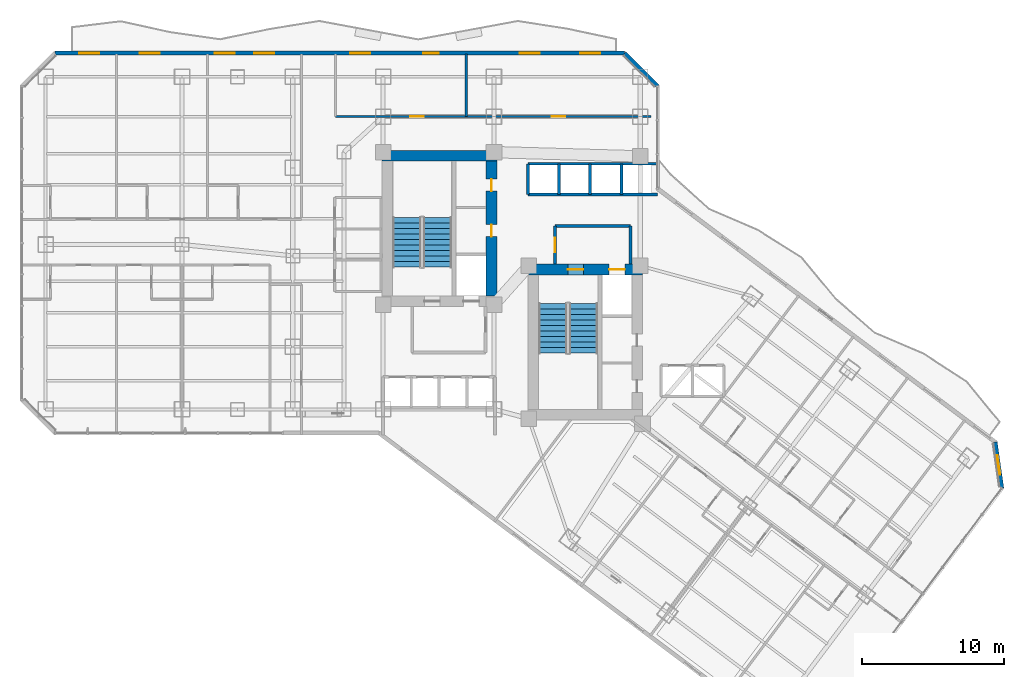
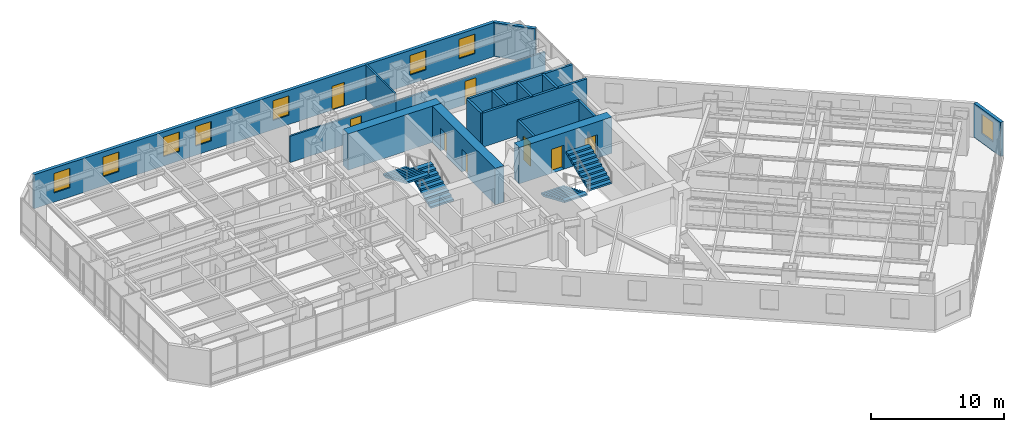
# One storey, part 26 of 32: 18 walls, 8 doors, 8 windows, 4 stair flights, 16 openings, 2 elements without a shape of their own.
"""IFC4 building model written with IfcOpenShell, lengths in metres."""

from ifc_helpers import new_model, si_unit, direction, frame, frame_2d, origin, place, context, subcontext, project, spatial, polyline, rectangle, outline, extrude, material, layer, layer_set, type_object, element, fill, aggregate, save


model = new_model("IFC4")

# Units and contexts
model_context = context("Model", 3, precision=1e-05, world=origin(), true_north=direction((0.0, 1.0)))
body_context = subcontext(model_context, "Body", "Model", "MODEL_VIEW")
ifc_project = project(units=[si_unit("LENGTHUNIT", "METRE"), si_unit("AREAUNIT", "SQUARE_METRE"), si_unit("VOLUMEUNIT", "CUBIC_METRE"), si_unit("PLANEANGLEUNIT", "RADIAN"), si_unit("MASSUNIT", "GRAM", prefix="KILO")], contexts=[model_context])

# Site, building, storey
site_placement = place(None, origin())
site = spatial("IfcSite", under=ifc_project, at=site_placement, CompositionType="ELEMENT")
building_placement = place(site_placement, origin())
building = spatial("IfcBuilding", under=site, at=building_placement, Name="Hatsunagi Terrace Concourse", CompositionType="ELEMENT")
storey_placement = place(building_placement, frame((0.0, 0.0, 36.60009765625)))
storey = spatial("IfcBuildingStorey", under=building, at=storey_placement, Name="L08", CompositionType="ELEMENT", Elevation=36.60009765625)

# Wall
ifc_material_1 = material(Name="Concrete Fc60", Category="concrete")
ifc_layer_1 = layer(ifc_material_1, 0.75)
ifc_layer_set_1 = layer_set([ifc_layer_1], Name="CoreShearWall_Fc60_750")
wall_type_1 = type_object("IfcWallType", Name="CoreShearWall_Fc60_750", PredefinedType="SHEAR", material=ifc_layer_set_1)
wall_1_placement = place(storey_placement, frame((25.469970703125, 43.044921875, 0.0), z_axis=(0.0, 0.0, 1.0), x_axis=(1.0, 0.0, 0.0)))
element("IfcWall", 1, at=wall_1_placement, inside=storey, type_object=wall_type_1, Name="Core A Shear Wall N L08", PredefinedType="SHEAR", context=body_context, shape_type="SweptSolid", body=[
    extrude(rectangle(XDim=8.080078125, YDim=0.75, at=frame_2d((4.0400390625, 0.0))), origin(), (0.0, 0.0, 1.0), 3.349853515625),
])

# Wall, openings, doors
wall_2_placement = place(storey_placement, frame((33.175048828125, 33.18994140625, 0.0), z_axis=(0.0, 0.0, 1.0), x_axis=(0.0, 1.0, 0.0)))
wall_2 = element("IfcWall", 2, at=wall_2_placement, inside=storey, type_object=wall_type_1, Name="Core A Shear Wall E L08", PredefinedType="SHEAR", context=body_context, shape_type="SweptSolid", body=[
    extrude(rectangle(XDim=9.47998046875, YDim=0.75, at=frame_2d((4.739990234375, 0.0))), origin(), (0.0, 0.0, 1.0), 3.349853515625),
])
opening_1_placement = place(wall_2_placement, frame((4.159912109375, 0.0, 0.0)))
opening_1 = element("IfcOpeningElement", 3, at=opening_1_placement, cuts=wall_2, Name="Opening DR-085", PredefinedType="OPENING", context=body_context, shape_type="SweptSolid", body=[
    extrude(rectangle(XDim=0.85009765625, YDim=2.080078125, at=frame_2d((0.425048828125, 1.0400390625))), frame((0.0, 0.385009765625, 0.0), z_axis=(0.0, -1.0, 0.0), x_axis=(1.0, 0.0, 0.0)), (0.0, 0.0, 1.0), 0.77001953125),
])
opening_2_placement = place(wall_2_placement, frame((7.360107421875, 0.0, 0.0)))
opening_2 = element("IfcOpeningElement", 4, at=opening_2_placement, cuts=wall_2, Name="Opening DR-085", PredefinedType="OPENING", context=body_context, shape_type="SweptSolid", body=[
    extrude(rectangle(XDim=0.85009765625, YDim=2.080078125, at=frame_2d((0.425048828125, 1.0400390625))), frame((0.0, 0.385009765625, 0.0), z_axis=(0.0, -1.0, 0.0), x_axis=(1.0, 0.0, 0.0)), (0.0, 0.0, 1.0), 0.77001953125),
])
ifc_material_2 = material(Name="Painted steel", Category="steel")
door_type_1 = type_object("IfcDoorType", Name="RiserAccessDoor_EI60_850", OperationType="NOTDEFINED", PredefinedType="DOOR", material=ifc_material_2)
door_1_placement = place(opening_1_placement, origin())
door_1 = element("IfcDoor", 5, at=door_1_placement, inside=storey, type_object=door_type_1, Name="Core A Riser Door L08-1", OperationType="SINGLE_SWING_LEFT", OverallHeight=2.080078125, OverallWidth=0.85009765625, PredefinedType="DOOR", context=body_context, shape_type="SweptSolid", body=[
    extrude(rectangle(XDim=0.85009765625, YDim=2.080078125, at=frame_2d((0.425048828125, 1.0400390625))), frame((0.0, 0.02490234375, 0.0), z_axis=(0.0, -1.0, 0.0), x_axis=(1.0, 0.0, 0.0)), (0.0, 0.0, 1.0), 0.050048828125),
])
fill(opening_1, door_1)
door_2_placement = place(opening_2_placement, origin())
door_2 = element("IfcDoor", 6, at=door_2_placement, inside=storey, type_object=door_type_1, Name="Core A Riser Door L08-2", OperationType="SINGLE_SWING_LEFT", OverallHeight=2.080078125, OverallWidth=0.85009765625, PredefinedType="DOOR", context=body_context, shape_type="SweptSolid", body=[
    extrude(rectangle(XDim=0.85009765625, YDim=2.080078125, at=frame_2d((0.425048828125, 1.0400390625))), frame((0.0, 0.02490234375, 0.0), z_axis=(0.0, -1.0, 0.0), x_axis=(1.0, 0.0, 0.0)), (0.0, 0.0, 1.0), 0.050048828125),
])
fill(opening_2, door_2)

wall_3_placement = place(storey_placement, frame((35.739990234375, 35.044921875, 0.0), z_axis=(0.0, 0.0, 1.0), x_axis=(1.0, 0.0, 0.0)))
wall_3 = element("IfcWall", 7, at=wall_3_placement, inside=storey, type_object=wall_type_1, Name="Core B Shear Wall N L08", PredefinedType="SHEAR", context=body_context, shape_type="SweptSolid", body=[
    extrude(rectangle(XDim=8.06005859375, YDim=0.75, at=frame_2d((4.030029296875, 0.0))), origin(), (0.0, 0.0, 1.0), 3.349853515625),
])
opening_3_placement = place(wall_3_placement, frame((2.81005859375, 0.0, 0.0)))
opening_3 = element("IfcOpeningElement", 8, at=opening_3_placement, cuts=wall_3, Name="Opening DR-110S", PredefinedType="OPENING", context=body_context, shape_type="SweptSolid", body=[
    extrude(rectangle(XDim=1.10009765625, YDim=2.199951171875, at=frame_2d((0.550048828125, 1.10009765625))), frame((0.0, 0.385009765625, 0.0), z_axis=(0.0, -1.0, 0.0), x_axis=(1.0, 0.0, 0.0)), (0.0, 0.0, 1.0), 0.77001953125),
])
opening_4_placement = place(wall_3_placement, frame((5.7099609375, 0.0, 0.0)))
opening_4 = element("IfcOpeningElement", 9, at=opening_4_placement, cuts=wall_3, Name="Opening LD-02", PredefinedType="OPENING", context=body_context, shape_type="SweptSolid", body=[
    extrude(rectangle(XDim=1.1201171875, YDim=2.14990234375, at=frame_2d((0.56005859375, 1.074951171875))), frame((0.0, 0.385009765625, 0.0), z_axis=(0.0, -1.0, 0.0), x_axis=(1.0, 0.0, 0.0)), (0.0, 0.0, 1.0), 0.77001953125),
])
ifc_material_3 = material(Name="Stainless steel", Category="steel")
door_type_2 = type_object("IfcDoorType", Name="LiftLandingDoor_LD02", OperationType="SLIDING_TO_RIGHT", PredefinedType="USERDEFINED", material=ifc_material_3)
door_3_placement = place(opening_4_placement, origin())
door_3 = element("IfcDoor", 10, at=door_3_placement, inside=storey, type_object=door_type_2, Name="Lift landing door FF-02 L08", ObjectType="SLIDING_LANDING_DOOR", OperationType="SLIDING_TO_RIGHT", OverallHeight=2.14990234375, OverallWidth=1.1201171875, PredefinedType="USERDEFINED", context=body_context, shape_type="SweptSolid", body=[
    extrude(rectangle(XDim=1.1201171875, YDim=2.14990234375, at=frame_2d((0.56005859375, 1.074951171875))), frame((0.0, 0.02490234375, 0.0), z_axis=(0.0, -1.0, 0.0), x_axis=(1.0, 0.0, 0.0)), (0.0, 0.0, 1.0), 0.050048828125),
])
fill(opening_4, door_3)
ifc_material_4 = material(Name="Painted steel", Category="steel")
door_type_3 = type_object("IfcDoorType", Name="StairFireDoor_EI60_1100", OperationType="NOTDEFINED", PredefinedType="DOOR", material=ifc_material_4)
door_4_placement = place(opening_3_placement, origin())
door_4 = element("IfcDoor", 11, at=door_4_placement, inside=storey, type_object=door_type_3, Name="Stair ST-B Exit Door L08", OperationType="SINGLE_SWING_RIGHT", OverallHeight=2.199951171875, OverallWidth=1.10009765625, PredefinedType="DOOR", context=body_context, shape_type="SweptSolid", body=[
    extrude(rectangle(XDim=1.10009765625, YDim=2.199951171875, at=frame_2d((0.550048828125, 1.10009765625))), frame((0.0, 0.02490234375, 0.0), z_axis=(0.0, -1.0, 0.0), x_axis=(1.0, 0.0, 0.0)), (0.0, 0.0, 1.0), 0.050048828125),
])
fill(opening_3, door_4)

# Wall, opening, door
ifc_material_5 = material(Name="Acoustic mineral board", Category="gypsum")
ifc_layer_2 = layer(ifc_material_5, 0.14990234375)
ifc_layer_set_2 = layer_set([ifc_layer_2], Name="PartitionWall_EI60_150")
wall_type_2 = type_object("IfcWallType", Name="PartitionWall_EI60_150", PredefinedType="PARTITIONING", material=ifc_layer_set_2)
wall_4_placement = place(storey_placement, frame((22.199951171875, 45.800048828125, 0.0), z_axis=(0.0, 0.0, 1.0), x_axis=(1.0, 0.0, 0.0)))
wall_4 = element("IfcWall", 12, at=wall_4_placement, inside=storey, type_object=wall_type_2, Name="Interior Partition IW-L08-037", PredefinedType="PARTITIONING", context=body_context, shape_type="SweptSolid", body=[
    extrude(rectangle(XDim=9.199951171875, YDim=0.14990234375, at=frame_2d((4.60009765625, 0.0))), origin(), (0.0, 0.0, 1.0), 2.4248046875),
])
opening_5_placement = place(wall_4_placement, frame((5.248046875, 0.0, 0.0)))
opening_5 = element("IfcOpeningElement", 13, at=opening_5_placement, cuts=wall_4, Name="Opening DR-095", PredefinedType="OPENING", context=body_context, shape_type="SweptSolid", body=[
    extrude(rectangle(XDim=0.949951171875, YDim=2.14990234375, at=frame_2d((0.47509765625, 1.074951171875))), frame((0.0, 0.0849609375, 0.0), z_axis=(0.0, -1.0, 0.0), x_axis=(1.0, 0.0, 0.0)), (0.0, 0.0, 1.0), 0.169921875),
])
ifc_material_6 = material(Name="Hardwood timber", Category="wood")
door_type_4 = type_object("IfcDoorType", Name="InteriorSuiteDoor_EI30_950", OperationType="NOTDEFINED", PredefinedType="DOOR", material=ifc_material_6)
door_5_placement = place(opening_5_placement, origin())
door_5 = element("IfcDoor", 14, at=door_5_placement, inside=storey, type_object=door_type_4, Name="Housekeeping Linen Room L08-HLIN Door", OperationType="SINGLE_SWING_LEFT", OverallHeight=2.14990234375, OverallWidth=0.949951171875, PredefinedType="DOOR", context=body_context, shape_type="SweptSolid", body=[
    extrude(rectangle(XDim=0.949951171875, YDim=2.14990234375, at=frame_2d((0.47509765625, 1.074951171875))), frame((0.0, 0.02490234375, 0.0), z_axis=(0.0, -1.0, 0.0), x_axis=(1.0, 0.0, 0.0)), (0.0, 0.0, 1.0), 0.050048828125),
])
fill(opening_5, door_5)

# Wall
wall_5_placement = place(storey_placement, frame((31.39990234375, 45.800048828125, 0.0), z_axis=(0.0, 0.0, 1.0), x_axis=(0.0, 1.0, 0.0)))
element("IfcWall", 15, at=wall_5_placement, inside=storey, type_object=wall_type_2, Name="Interior Partition IW-L08-039", PredefinedType="PARTITIONING", context=body_context, shape_type="SweptSolid", body=[
    extrude(rectangle(XDim=4.39990234375, YDim=0.14990234375, at=frame_2d((2.199951171875, 0.0))), origin(), (0.0, 0.0, 1.0), 3.1298828125),
])

# Wall, opening, door
wall_6_placement = place(storey_placement, frame((31.39990234375, 45.800048828125, 0.0), z_axis=(0.0, 0.0, 1.0), x_axis=(1.0, 0.0, 0.0)))
wall_6 = element("IfcWall", 16, at=wall_6_placement, inside=storey, type_object=wall_type_2, Name="Interior Partition IW-L08-040", PredefinedType="PARTITIONING", context=body_context, shape_type="SweptSolid", body=[
    extrude(rectangle(XDim=13.0, YDim=0.14990234375, at=frame_2d((6.5, 0.0))), origin(), (0.0, 0.0, 1.0), 2.4248046875),
])
opening_6_placement = place(wall_6_placement, frame((6.02490234375, 0.0, 0.0)))
opening_6 = element("IfcOpeningElement", 17, at=opening_6_placement, cuts=wall_6, Name="Opening DR-095", PredefinedType="OPENING", context=body_context, shape_type="SweptSolid", body=[
    extrude(rectangle(XDim=0.949951171875, YDim=2.14990234375, at=frame_2d((0.47509765625, 1.074951171875))), frame((0.0, 0.0849609375, 0.0), z_axis=(0.0, -1.0, 0.0), x_axis=(1.0, 0.0, 0.0)), (0.0, 0.0, 1.0), 0.169921875),
])
door_6_placement = place(opening_6_placement, origin())
door_6 = element("IfcDoor", 18, at=door_6_placement, inside=storey, type_object=door_type_4, Name="VIP Lounge L08-HLNG Door", OperationType="SINGLE_SWING_LEFT", OverallHeight=2.14990234375, OverallWidth=0.949951171875, PredefinedType="DOOR", context=body_context, shape_type="SweptSolid", body=[
    extrude(rectangle(XDim=0.949951171875, YDim=2.14990234375, at=frame_2d((0.47509765625, 1.074951171875))), frame((0.0, 0.02490234375, 0.0), z_axis=(0.0, -1.0, 0.0), x_axis=(1.0, 0.0, 0.0)), (0.0, 0.0, 1.0), 0.050048828125),
])
fill(opening_6, door_6)

# Walls
ifc_material_7 = material(Name="Acoustic mineral board", Category="gypsum")
ifc_layer_3 = layer(ifc_material_7, 0.199951171875)
ifc_layer_set_3 = layer_set([ifc_layer_3], Name="ShaftWall_EI120_200")
wall_type_3 = type_object("IfcWallType", Name="ShaftWall_EI120_200", PredefinedType="STANDARD", material=ifc_layer_set_3)
wall_7_placement = place(storey_placement, frame((37.64990234375, 38.10009765625, 0.0), z_axis=(0.0, 0.0, 1.0), x_axis=(1.0, 0.0, 0.0)))
element("IfcWall", 19, at=wall_7_placement, inside=storey, type_object=wall_type_3, Name="Interior Partition IW-L08-008", PredefinedType="STANDARD", context=body_context, shape_type="SweptSolid", body=[
    extrude(rectangle(XDim=5.300048828125, YDim=0.199951171875, at=frame_2d((2.64990234375, 0.0))), origin(), (0.0, 0.0, 1.0), 3.1298828125),
])
wall_8_placement = place(storey_placement, frame((42.949951171875, 35.419921875, 0.0), z_axis=(0.0, 0.0, 1.0), x_axis=(0.0, 1.0, 0.0)))
element("IfcWall", 20, at=wall_8_placement, inside=storey, type_object=wall_type_3, Name="Interior Partition IW-L08-009", PredefinedType="STANDARD", context=body_context, shape_type="SweptSolid", body=[
    extrude(rectangle(XDim=2.68017578125, YDim=0.199951171875, at=frame_2d((1.340087890625, 0.0))), origin(), (0.0, 0.0, 1.0), 3.1298828125),
])

# Wall, opening, door
wall_9_placement = place(storey_placement, frame((37.64990234375, 35.419921875, 0.0), z_axis=(0.0, 0.0, 1.0), x_axis=(0.0, 1.0, 0.0)))
wall_9 = element("IfcWall", 21, at=wall_9_placement, inside=storey, type_object=wall_type_3, Name="Interior Partition IW-L08-010", PredefinedType="STANDARD", context=body_context, shape_type="SweptSolid", body=[
    extrude(rectangle(XDim=2.68017578125, YDim=0.199951171875, at=frame_2d((1.340087890625, 0.0))), origin(), (0.0, 0.0, 1.0), 3.1298828125),
])
opening_7_placement = place(wall_9_placement, frame((0.840087890625, 0.0, 0.0)))
opening_7 = element("IfcOpeningElement", 22, at=opening_7_placement, cuts=wall_9, Name="Opening DR-100F", PredefinedType="OPENING", context=body_context, shape_type="SweptSolid", body=[
    extrude(rectangle(XDim=1.0, YDim=2.199951171875, at=frame_2d((0.5, 1.10009765625))), frame((0.0, 0.10986328125, 0.0), z_axis=(0.0, -1.0, 0.0), x_axis=(1.0, 0.0, 0.0)), (0.0, 0.0, 1.0), 0.219970703125),
])
ifc_material_8 = material(Name="Painted steel", Category="steel")
door_type_5 = type_object("IfcDoorType", Name="FireDoor_EI60_1000", OperationType="NOTDEFINED", PredefinedType="DOOR", material=ifc_material_8)
door_7_placement = place(opening_7_placement, origin())
door_7 = element("IfcDoor", 23, at=door_7_placement, inside=storey, type_object=door_type_5, Name="Firefighting Lobby B Door L08", OperationType="SINGLE_SWING_RIGHT", OverallHeight=2.199951171875, OverallWidth=1.0, PredefinedType="DOOR", context=body_context, shape_type="SweptSolid", body=[
    extrude(rectangle(XDim=1.0, YDim=2.199951171875, at=frame_2d((0.5, 1.10009765625))), frame((0.0, 0.02490234375, 0.0), z_axis=(0.0, -1.0, 0.0), x_axis=(1.0, 0.0, 0.0)), (0.0, 0.0, 1.0), 0.050048828125),
])
fill(opening_7, door_7)

# Walls
wall_10_placement = place(storey_placement, frame((35.75, 42.47998046875, 0.0), z_axis=(0.0, 0.0, 1.0), x_axis=(1.0, 0.0, 0.0)))
element("IfcWall", 24, at=wall_10_placement, inside=storey, type_object=wall_type_3, Name="Interior Partition IW-L08-018", PredefinedType="STANDARD", context=body_context, shape_type="SweptSolid", body=[
    extrude(rectangle(XDim=9.110107421875, YDim=0.199951171875, at=frame_2d((4.55517578125, 0.0))), origin(), (0.0, 0.0, 1.0), 3.1298828125),
])
for number, where, z_axis, x_axis, name in (
    (25, (35.75, 40.320068359375, 0.0), (0.0, 0.0, 1.0), (0.0, 1.0, 0.0), "Interior Partition IW-L08-019"),
    (26, (37.919921875, 40.320068359375, 0.0), (0.0, 0.0, 1.0), (0.0, 1.0, 0.0), "Interior Partition IW-L08-020"),
    (27, (40.1201171875, 40.320068359375, 0.0), (0.0, 0.0, 1.0), (0.0, 1.0, 0.0), "Interior Partition IW-L08-021"),
    (28, (42.320068359375, 40.320068359375, 0.0), (0.0, 0.0, 1.0), (0.0, 1.0, 0.0), "Interior Partition IW-L08-022"),
):
    element("IfcWall", number, at=place(storey_placement, frame(where, z_axis=z_axis, x_axis=x_axis)), inside=storey, type_object=wall_type_3, Name=name, PredefinedType="STANDARD", context=body_context, shape_type="SweptSolid", body=[
        extrude(rectangle(XDim=2.159912109375, YDim=0.199951171875, at=frame_2d((1.080078125, 0.0))), origin(), (0.0, 0.0, 1.0), 3.1298828125),
    ])
wall_11_placement = place(storey_placement, frame((35.75, 40.320068359375, 0.0), z_axis=(0.0, 0.0, 1.0), x_axis=(1.0, 0.0, 0.0)))
element("IfcWall", 29, at=wall_11_placement, inside=storey, type_object=wall_type_3, Name="Interior Partition IW-L08-023", PredefinedType="STANDARD", context=body_context, shape_type="SweptSolid", body=[
    extrude(rectangle(XDim=9.110107421875, YDim=0.199951171875, at=frame_2d((4.55517578125, 0.0))), origin(), (0.0, 0.0, 1.0), 3.1298828125),
])

# Wall, opening, window
ifc_material_9 = material(Name="Autoclaved Lightweight Concrete and Terracotta Cladding", Category="masonry")
ifc_layer_4 = layer(ifc_material_9, 0.280029296875)
ifc_layer_set_4 = layer_set([ifc_layer_4], Name="TerracottaSpandrelWall_280")
wall_type_4 = type_object("IfcWallType", Name="TerracottaSpandrelWall_280", PredefinedType="STANDARD", material=ifc_layer_set_4)
wall_12_placement = place(storey_placement, frame((68.6298828125, 22.903076171875, 0.0), z_axis=(0.0, 0.0, 1.0), x_axis=(0.141285803956, -0.989968848803, 0.0)))
wall_12 = element("IfcWall", 30, at=wall_12_placement, inside=storey, type_object=wall_type_4, Name="Exterior Spandrel Wall EW-L08-02", PredefinedType="STANDARD", context=body_context, shape_type="SweptSolid", body=[
    extrude(rectangle(XDim=3.278076171875, YDim=0.280029296875, at=frame_2d((1.63916015625, 0.0))), origin(), (0.0, 0.0, 1.0), 3.1298828125),
])
opening_8_placement = place(wall_12_placement, frame((0.93896484375, 0.0, 0.85009765625)))
opening_8 = element("IfcOpeningElement", 31, at=opening_8_placement, cuts=wall_12, Name="Opening WIN-02", PredefinedType="OPENING", context=body_context, shape_type="SweptSolid", body=[
    extrude(rectangle(XDim=1.39990234375, YDim=1.800048828125, at=frame_2d((0.699951171875, 0.89990234375))), frame((0.0, 0.14990234375, 0.0), z_axis=(0.0, -1.0, 0.0), x_axis=(1.0, 0.0, 0.0)), (0.0, 0.0, 1.0), 0.300048828125),
])
ifc_material_10 = material(Name="Thermally Broken Aluminium and Low-E Triple Glazing", Category="aluminium")
window_type = type_object("IfcWindowType", Name="HotelOperableVentWindow_1400x1800", PartitioningType="DOUBLE_PANEL_VERTICAL", PredefinedType="WINDOW", material=ifc_material_10)
window_1_placement = place(opening_8_placement, origin())
window_1 = element("IfcWindow", 32, at=window_1_placement, inside=storey, type_object=window_type, Name="Hotel Guestroom Window L08-02-1", OverallHeight=1.800048828125, OverallWidth=1.39990234375, PartitioningType="SINGLE_PANEL", PredefinedType="WINDOW", context=body_context, shape_type="SweptSolid", body=[
    extrude(rectangle(XDim=1.39990234375, YDim=1.800048828125, at=frame_2d((0.699951171875, 0.89990234375))), frame((0.0, 0.030029296875, 0.0), z_axis=(0.0, -1.0, 0.0), x_axis=(1.0, 0.0, 0.0)), (0.0, 0.0, 1.0), 0.06005859375),
])
fill(opening_8, window_1)

# Wall, openings, door, windows
wall_13_placement = place(storey_placement, frame((2.4580078125, 50.260009765625, 0.0), z_axis=(0.0, 0.0, 1.0), x_axis=(1.0, 0.0, 0.0)))
wall_13 = element("IfcWall", 33, at=wall_13_placement, inside=storey, type_object=wall_type_4, Name="Exterior Spandrel Wall EW-L08-11", PredefinedType="STANDARD", context=body_context, shape_type="SweptSolid", body=[
    extrude(rectangle(XDim=40.083984375, YDim=0.280029296875, at=frame_2d((20.0419921875, 0.0))), origin(), (0.0, 0.0, 1.0), 3.1298828125),
])
opening_9_placement = place(wall_13_placement, frame((25.905029296875, 0.0, 0.0)))
opening_9 = element("IfcOpeningElement", 34, at=opening_9_placement, cuts=wall_13, Name="Opening BD-01", PredefinedType="OPENING", context=body_context, shape_type="SweptSolid", body=[
    extrude(rectangle(XDim=1.10009765625, YDim=2.199951171875, at=frame_2d((0.550048828125, 1.10009765625))), frame((0.0, 0.14990234375, 0.0), z_axis=(0.0, -1.0, 0.0), x_axis=(1.0, 0.0, 0.0)), (0.0, 0.0, 1.0), 0.300048828125),
])
opening_10_placement = place(wall_13_placement, frame((1.717041015625, 0.0, 0.85009765625)))
opening_10 = element("IfcOpeningElement", 35, at=opening_10_placement, cuts=wall_13, Name="Opening WIN-02", PredefinedType="OPENING", context=body_context, shape_type="SweptSolid", body=[
    extrude(rectangle(XDim=1.39990234375, YDim=1.800048828125, at=frame_2d((0.699951171875, 0.89990234375))), frame((0.0, 0.14990234375, 0.0), z_axis=(0.0, -1.0, 0.0), x_axis=(1.0, 0.0, 0.0)), (0.0, 0.0, 1.0), 0.300048828125),
])
opening_11_placement = place(wall_13_placement, frame((5.98095703125, 0.0, 0.85009765625)))
opening_11 = element("IfcOpeningElement", 36, at=opening_11_placement, cuts=wall_13, Name="Opening WIN-02", PredefinedType="OPENING", context=body_context, shape_type="SweptSolid", body=[
    extrude(rectangle(XDim=1.39990234375, YDim=1.800048828125, at=frame_2d((0.699951171875, 0.89990234375))), frame((0.0, 0.14990234375, 0.0), z_axis=(0.0, -1.0, 0.0), x_axis=(1.0, 0.0, 0.0)), (0.0, 0.0, 1.0), 0.300048828125),
])
opening_12_placement = place(wall_13_placement, frame((11.260986328125, 0.0, 0.85009765625)))
opening_12 = element("IfcOpeningElement", 37, at=opening_12_placement, cuts=wall_13, Name="Opening WIN-02", PredefinedType="OPENING", context=body_context, shape_type="SweptSolid", body=[
    extrude(rectangle(XDim=1.39990234375, YDim=1.800048828125, at=frame_2d((0.699951171875, 0.89990234375))), frame((0.0, 0.14990234375, 0.0), z_axis=(0.0, -1.0, 0.0), x_axis=(1.0, 0.0, 0.0)), (0.0, 0.0, 1.0), 0.300048828125),
])
opening_13_placement = place(wall_13_placement, frame((14.02001953125, 0.0, 0.85009765625)))
opening_13 = element("IfcOpeningElement", 38, at=opening_13_placement, cuts=wall_13, Name="Opening WIN-02", PredefinedType="OPENING", context=body_context, shape_type="SweptSolid", body=[
    extrude(rectangle(XDim=1.39990234375, YDim=1.800048828125, at=frame_2d((0.699951171875, 0.89990234375))), frame((0.0, 0.14990234375, 0.0), z_axis=(0.0, -1.0, 0.0), x_axis=(1.0, 0.0, 0.0)), (0.0, 0.0, 1.0), 0.300048828125),
])
opening_14_placement = place(wall_13_placement, frame((20.7890625, 0.0, 0.85009765625)))
opening_14 = element("IfcOpeningElement", 39, at=opening_14_placement, cuts=wall_13, Name="Opening WIN-02", PredefinedType="OPENING", context=body_context, shape_type="SweptSolid", body=[
    extrude(rectangle(XDim=1.39990234375, YDim=1.800048828125, at=frame_2d((0.699951171875, 0.89990234375))), frame((0.0, 0.14990234375, 0.0), z_axis=(0.0, -1.0, 0.0), x_axis=(1.0, 0.0, 0.0)), (0.0, 0.0, 1.0), 0.300048828125),
])
opening_15_placement = place(wall_13_placement, frame((32.702880859375, 0.0, 0.85009765625)))
opening_15 = element("IfcOpeningElement", 40, at=opening_15_placement, cuts=wall_13, Name="Opening WIN-02", PredefinedType="OPENING", context=body_context, shape_type="SweptSolid", body=[
    extrude(rectangle(XDim=1.39990234375, YDim=1.800048828125, at=frame_2d((0.699951171875, 0.89990234375))), frame((0.0, 0.14990234375, 0.0), z_axis=(0.0, -1.0, 0.0), x_axis=(1.0, 0.0, 0.0)), (0.0, 0.0, 1.0), 0.300048828125),
])
opening_16_placement = place(wall_13_placement, frame((36.967041015625, 0.0, 0.85009765625)))
opening_16 = element("IfcOpeningElement", 41, at=opening_16_placement, cuts=wall_13, Name="Opening WIN-02", PredefinedType="OPENING", context=body_context, shape_type="SweptSolid", body=[
    extrude(rectangle(XDim=1.39990234375, YDim=1.800048828125, at=frame_2d((0.699951171875, 0.89990234375))), frame((0.0, 0.14990234375, 0.0), z_axis=(0.0, -1.0, 0.0), x_axis=(1.0, 0.0, 0.0)), (0.0, 0.0, 1.0), 0.300048828125),
])
ifc_material_11 = material(Name="Galvanised Steel and Laminated Safety Glass", Category="steel")
door_type_6 = type_object("IfcDoorType", Name="BalconyTerraceAccessDoor_1100x2200", OperationType="SINGLE_SWING_LEFT", PredefinedType="DOOR", material=ifc_material_11)
door_8_placement = place(opening_9_placement, origin())
door_8 = element("IfcDoor", 42, at=door_8_placement, inside=storey, type_object=door_type_6, Name="Engawa Balcony Door L08-BN", OperationType="SINGLE_SWING_RIGHT", OverallHeight=2.199951171875, OverallWidth=1.10009765625, PredefinedType="DOOR", context=body_context, shape_type="SweptSolid", body=[
    extrude(rectangle(XDim=1.10009765625, YDim=2.199951171875, at=frame_2d((0.550048828125, 1.10009765625))), frame((0.0, 0.02490234375, 0.0), z_axis=(0.0, -1.0, 0.0), x_axis=(1.0, 0.0, 0.0)), (0.0, 0.0, 1.0), 0.050048828125),
])
fill(opening_9, door_8)
window_2_placement = place(opening_10_placement, origin())
window_2 = element("IfcWindow", 43, at=window_2_placement, inside=storey, type_object=window_type, Name="Balcony Daylighting Window L08-11-1", OverallHeight=1.800048828125, OverallWidth=1.39990234375, PartitioningType="SINGLE_PANEL", PredefinedType="WINDOW", context=body_context, shape_type="SweptSolid", body=[
    extrude(rectangle(XDim=1.39990234375, YDim=1.800048828125, at=frame_2d((0.699951171875, 0.89990234375))), frame((0.0, 0.030029296875, 0.0), z_axis=(0.0, -1.0, 0.0), x_axis=(1.0, 0.0, 0.0)), (0.0, 0.0, 1.0), 0.06005859375),
])
fill(opening_10, window_2)
window_3_placement = place(opening_11_placement, origin())
window_3 = element("IfcWindow", 44, at=window_3_placement, inside=storey, type_object=window_type, Name="Balcony Daylighting Window L08-11-2", OverallHeight=1.800048828125, OverallWidth=1.39990234375, PartitioningType="SINGLE_PANEL", PredefinedType="WINDOW", context=body_context, shape_type="SweptSolid", body=[
    extrude(rectangle(XDim=1.39990234375, YDim=1.800048828125, at=frame_2d((0.699951171875, 0.89990234375))), frame((0.0, 0.030029296875, 0.0), z_axis=(0.0, -1.0, 0.0), x_axis=(1.0, 0.0, 0.0)), (0.0, 0.0, 1.0), 0.06005859375),
])
fill(opening_11, window_3)
window_4_placement = place(opening_12_placement, origin())
window_4 = element("IfcWindow", 45, at=window_4_placement, inside=storey, type_object=window_type, Name="Balcony Daylighting Window L08-11-3", OverallHeight=1.800048828125, OverallWidth=1.39990234375, PartitioningType="SINGLE_PANEL", PredefinedType="WINDOW", context=body_context, shape_type="SweptSolid", body=[
    extrude(rectangle(XDim=1.39990234375, YDim=1.800048828125, at=frame_2d((0.699951171875, 0.89990234375))), frame((0.0, 0.030029296875, 0.0), z_axis=(0.0, -1.0, 0.0), x_axis=(1.0, 0.0, 0.0)), (0.0, 0.0, 1.0), 0.06005859375),
])
fill(opening_12, window_4)
window_5_placement = place(opening_13_placement, origin())
window_5 = element("IfcWindow", 46, at=window_5_placement, inside=storey, type_object=window_type, Name="Balcony Daylighting Window L08-11-4", OverallHeight=1.800048828125, OverallWidth=1.39990234375, PartitioningType="SINGLE_PANEL", PredefinedType="WINDOW", context=body_context, shape_type="SweptSolid", body=[
    extrude(rectangle(XDim=1.39990234375, YDim=1.800048828125, at=frame_2d((0.699951171875, 0.89990234375))), frame((0.0, 0.030029296875, 0.0), z_axis=(0.0, -1.0, 0.0), x_axis=(1.0, 0.0, 0.0)), (0.0, 0.0, 1.0), 0.06005859375),
])
fill(opening_13, window_5)
window_6_placement = place(opening_14_placement, origin())
window_6 = element("IfcWindow", 47, at=window_6_placement, inside=storey, type_object=window_type, Name="Balcony Daylighting Window L08-11-5", OverallHeight=1.800048828125, OverallWidth=1.39990234375, PartitioningType="SINGLE_PANEL", PredefinedType="WINDOW", context=body_context, shape_type="SweptSolid", body=[
    extrude(rectangle(XDim=1.39990234375, YDim=1.800048828125, at=frame_2d((0.699951171875, 0.89990234375))), frame((0.0, 0.030029296875, 0.0), z_axis=(0.0, -1.0, 0.0), x_axis=(1.0, 0.0, 0.0)), (0.0, 0.0, 1.0), 0.06005859375),
])
fill(opening_14, window_6)
window_7_placement = place(opening_15_placement, origin())
window_7 = element("IfcWindow", 48, at=window_7_placement, inside=storey, type_object=window_type, Name="Balcony Daylighting Window L08-11-8", OverallHeight=1.800048828125, OverallWidth=1.39990234375, PartitioningType="SINGLE_PANEL", PredefinedType="WINDOW", context=body_context, shape_type="SweptSolid", body=[
    extrude(rectangle(XDim=1.39990234375, YDim=1.800048828125, at=frame_2d((0.699951171875, 0.89990234375))), frame((0.0, 0.030029296875, 0.0), z_axis=(0.0, -1.0, 0.0), x_axis=(1.0, 0.0, 0.0)), (0.0, 0.0, 1.0), 0.06005859375),
])
fill(opening_15, window_7)
window_8_placement = place(opening_16_placement, origin())
window_8 = element("IfcWindow", 49, at=window_8_placement, inside=storey, type_object=window_type, Name="Balcony Daylighting Window L08-11-9", OverallHeight=1.800048828125, OverallWidth=1.39990234375, PartitioningType="SINGLE_PANEL", PredefinedType="WINDOW", context=body_context, shape_type="SweptSolid", body=[
    extrude(rectangle(XDim=1.39990234375, YDim=1.800048828125, at=frame_2d((0.699951171875, 0.89990234375))), frame((0.0, 0.030029296875, 0.0), z_axis=(0.0, -1.0, 0.0), x_axis=(1.0, 0.0, 0.0)), (0.0, 0.0, 1.0), 0.06005859375),
])
fill(opening_16, window_8)

# Wall
wall_14_placement = place(storey_placement, frame((42.5419921875, 50.260009765625, 0.0), z_axis=(0.0, 0.0, 1.0), x_axis=(0.707106781187, -0.707106781187, 0.0)))
element("IfcWall", 50, at=wall_14_placement, inside=storey, type_object=wall_type_4, Name="Exterior Spandrel Wall EW-L08-12", PredefinedType="STANDARD", context=body_context, shape_type="SweptSolid", body=[
    extrude(rectangle(XDim=3.2783203125, YDim=0.280029296875, at=frame_2d((1.63916015625, 0.0))), origin(), (0.0, 0.0, 1.0), 3.1298828125),
])

# Stair, stair flights
ifc_material_12 = material(Name="Concrete Fc42", Category="concrete")
stair_type = type_object("IfcStairType", Name="DoglegExitStair_Tower2000_20R_168", PredefinedType="HALF_TURN_STAIR", material=ifc_material_12)
stair_1_placement = place(storey_placement, origin())
stair_1 = element("IfcStair", 51, at=stair_1_placement, inside=storey, type_object=stair_type, Name="L08 Core A Protected Exit Stair ST-A", PredefinedType="HALF_TURN_STAIR")
ifc_material_13 = material(Name="Concrete Fc42", Category="concrete")
stair_flight_type = type_object("IfcStairFlightType", Name="DoglegStairFlight_Tower2000_20R_168", PredefinedType="STRAIGHT", material=ifc_material_13)
stair_flight_1_placement = place(storey_placement, frame((29.3798828125, 35.199951171875, 0.0), z_axis=(0.0, 0.0, 1.0), x_axis=(0.0, 1.0, 0.0)))
stair_flight_1 = element("IfcStairFlight", 52, at=stair_flight_1_placement, type_object=stair_flight_type, Name="ST-A flight 1", NumberOfRisers=10, NumberOfTreads=9, PredefinedType="STRAIGHT", RiserHeight=0.1675, TreadLength=0.39, context=body_context, shape_type="SweptSolid", body=[
    extrude(outline(polyline([(0.0, 0.0), (0.0, 0.16748046875), (0.389892578125, 0.16748046875), (0.389892578125, 0.3349609375), (0.780029296875, 0.3349609375), (0.780029296875, 0.50244140625), (1.169921875, 0.50244140625), (1.169921875, 0.669921875), (1.56005859375, 0.669921875), (1.56005859375, 0.83740234375), (1.949951171875, 0.83740234375), (1.949951171875, 1.0048828125), (2.340087890625, 1.0048828125), (2.340087890625, 1.172607421875), (2.72998046875, 1.172607421875), (2.72998046875, 1.340087890625), (3.1201171875, 1.340087890625), (3.1201171875, 1.507568359375), (3.510009765625, 1.507568359375), (3.510009765625, 1.675048828125), (3.510009765625, 1.34423828125), (0.3798828125, 0.0), (0.0, 0.0)])), frame((0.0, 1.0, 0.0), z_axis=(0.0, -1.0, 0.0), x_axis=(1.0, 0.0, 0.0)), (0.0, 0.0, 1.0), 2.0),
])
stair_flight_2_placement = place(storey_placement, frame((27.22998046875, 38.7099609375, 1.6748046875), z_axis=(0.0, 0.0, 1.0), x_axis=(0.0, -1.0, 0.0)))
stair_flight_2 = element("IfcStairFlight", 53, at=stair_flight_2_placement, type_object=stair_flight_type, Name="ST-A flight 2", NumberOfRisers=10, NumberOfTreads=9, PredefinedType="STRAIGHT", RiserHeight=0.1675, TreadLength=0.39, context=body_context, shape_type="SweptSolid", body=[
    extrude(outline(polyline([(0.0, 0.0), (0.0, 0.16748046875), (0.389892578125, 0.16748046875), (0.389892578125, 0.3349609375), (0.780029296875, 0.3349609375), (0.780029296875, 0.50244140625), (1.169921875, 0.50244140625), (1.169921875, 0.669921875), (1.56005859375, 0.669921875), (1.56005859375, 0.83740234375), (1.949951171875, 0.83740234375), (1.949951171875, 1.0048828125), (2.340087890625, 1.0048828125), (2.340087890625, 1.172607421875), (2.72998046875, 1.172607421875), (2.72998046875, 1.340087890625), (3.1201171875, 1.340087890625), (3.1201171875, 1.507568359375), (3.510009765625, 1.507568359375), (3.510009765625, 1.675048828125), (3.510009765625, 1.34423828125), (0.3798828125, 0.0), (0.0, 0.0)])), frame((0.0, 1.0, 0.0), z_axis=(0.0, -1.0, 0.0), x_axis=(1.0, 0.0, 0.0)), (0.0, 0.0, 1.0), 2.0),
])
aggregate(stair_1, [stair_flight_1, stair_flight_2])

stair_2_placement = place(storey_placement, origin())
stair_2 = element("IfcStair", 54, at=stair_2_placement, inside=storey, type_object=stair_type, Name="L08 Core B Protected Exit Stair ST-B", PredefinedType="HALF_TURN_STAIR")
stair_flight_3_placement = place(storey_placement, frame((37.5, 32.659912109375, 0.0), z_axis=(0.0, 0.0, 1.0), x_axis=(0.0, -1.0, 0.0)))
stair_flight_3 = element("IfcStairFlight", 55, at=stair_flight_3_placement, type_object=stair_flight_type, Name="ST-B flight 1", NumberOfRisers=10, NumberOfTreads=9, PredefinedType="STRAIGHT", RiserHeight=0.1675, TreadLength=0.39, context=body_context, shape_type="SweptSolid", body=[
    extrude(outline(polyline([(0.0, 0.0), (0.0, 0.16748046875), (0.389892578125, 0.16748046875), (0.389892578125, 0.3349609375), (0.780029296875, 0.3349609375), (0.780029296875, 0.50244140625), (1.169921875, 0.50244140625), (1.169921875, 0.669921875), (1.56005859375, 0.669921875), (1.56005859375, 0.83740234375), (1.949951171875, 0.83740234375), (1.949951171875, 1.0048828125), (2.340087890625, 1.0048828125), (2.340087890625, 1.172607421875), (2.72998046875, 1.172607421875), (2.72998046875, 1.340087890625), (3.1201171875, 1.340087890625), (3.1201171875, 1.507568359375), (3.510009765625, 1.507568359375), (3.510009765625, 1.675048828125), (3.510009765625, 1.34423828125), (0.3798828125, 0.0), (0.0, 0.0)])), frame((0.0, 1.0, 0.0), z_axis=(0.0, -1.0, 0.0), x_axis=(1.0, 0.0, 0.0)), (0.0, 0.0, 1.0), 2.0),
])
stair_flight_4_placement = place(storey_placement, frame((39.64990234375, 29.14990234375, 1.6748046875), z_axis=(0.0, 0.0, 1.0), x_axis=(0.0, 1.0, 0.0)))
stair_flight_4 = element("IfcStairFlight", 56, at=stair_flight_4_placement, type_object=stair_flight_type, Name="ST-B flight 2", NumberOfRisers=10, NumberOfTreads=9, PredefinedType="STRAIGHT", RiserHeight=0.1675, TreadLength=0.39, context=body_context, shape_type="SweptSolid", body=[
    extrude(outline(polyline([(0.0, 0.0), (0.0, 0.16748046875), (0.389892578125, 0.16748046875), (0.389892578125, 0.3349609375), (0.780029296875, 0.3349609375), (0.780029296875, 0.50244140625), (1.169921875, 0.50244140625), (1.169921875, 0.669921875), (1.56005859375, 0.669921875), (1.56005859375, 0.83740234375), (1.949951171875, 0.83740234375), (1.949951171875, 1.0048828125), (2.340087890625, 1.0048828125), (2.340087890625, 1.172607421875), (2.72998046875, 1.172607421875), (2.72998046875, 1.340087890625), (3.1201171875, 1.340087890625), (3.1201171875, 1.507568359375), (3.510009765625, 1.507568359375), (3.510009765625, 1.675048828125), (3.510009765625, 1.34423828125), (0.3798828125, 0.0), (0.0, 0.0)])), frame((0.0, 1.0, 0.0), z_axis=(0.0, -1.0, 0.0), x_axis=(1.0, 0.0, 0.0)), (0.0, 0.0, 1.0), 2.0),
])
aggregate(stair_2, [stair_flight_3, stair_flight_4])

save(model, "model.ifc")
